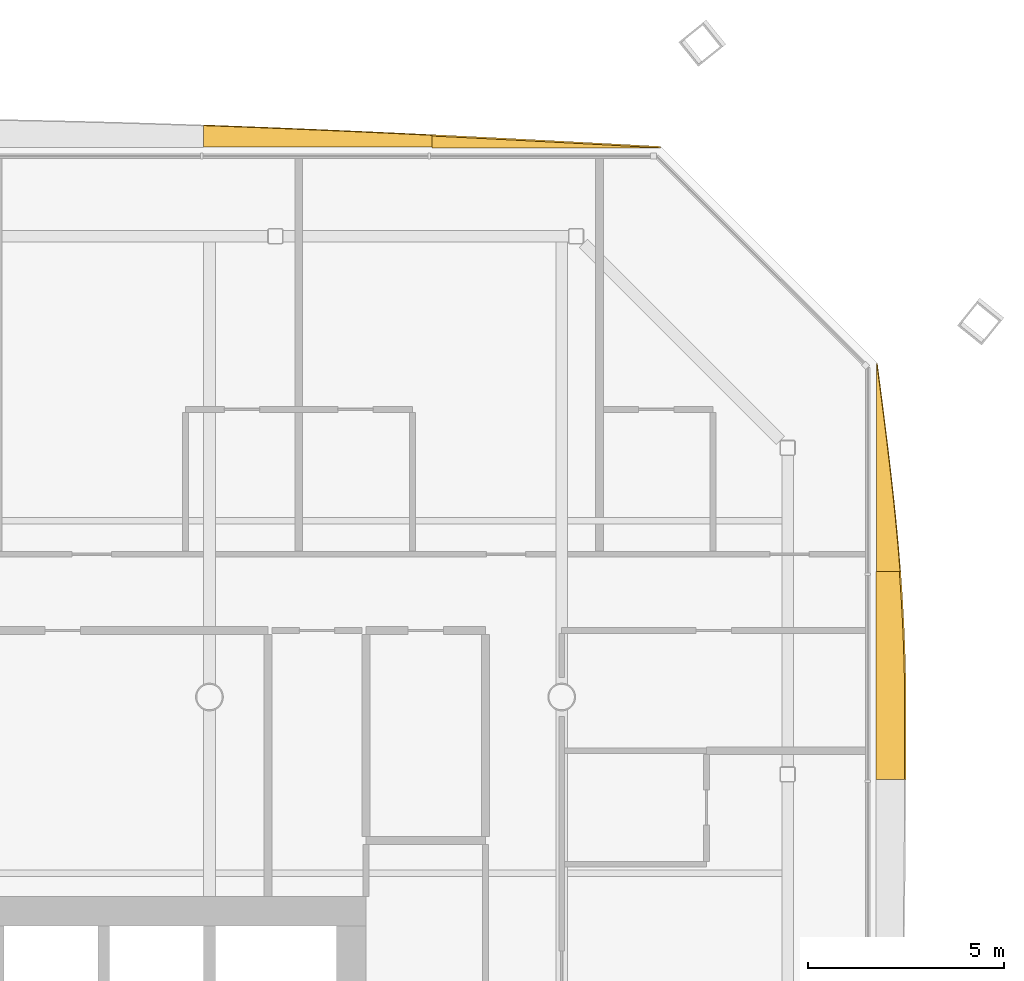
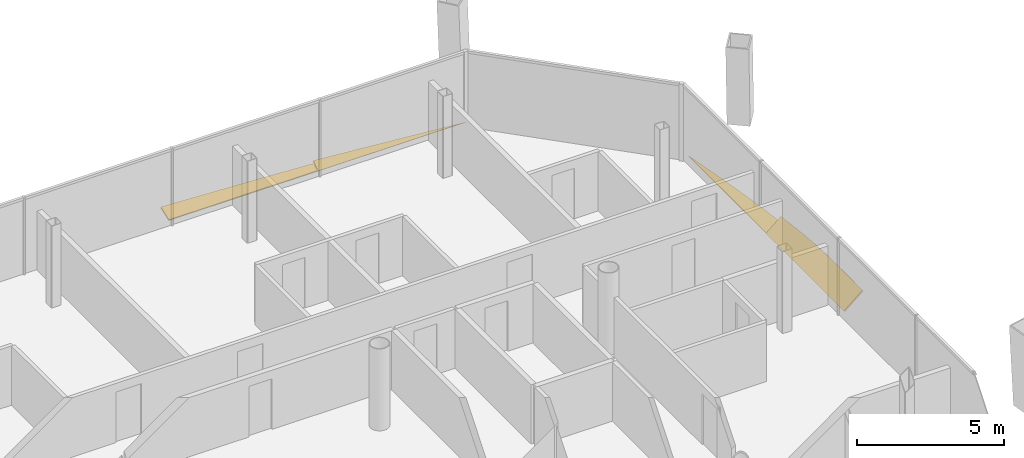
# One storey, part 21 of 21: 4 shading devices.
"""IFC4 building model written with IfcOpenShell, lengths in metres."""

from ifc_helpers import new_model, si_unit, direction, frame, origin, place, context, subcontext, project, spatial, polyline, outline, extrude, material, layer, layer_set, type_object, element, save


model = new_model("IFC4")

# Units and contexts
model_context = context("Model", 3, precision=1e-05, world=origin(), true_north=direction((0.0, 1.0)))
body_context = subcontext(model_context, "Body", "Model", "MODEL_VIEW")
ifc_project = project(units=[si_unit("LENGTHUNIT", "METRE"), si_unit("AREAUNIT", "SQUARE_METRE"), si_unit("VOLUMEUNIT", "CUBIC_METRE"), si_unit("PLANEANGLEUNIT", "RADIAN"), si_unit("MASSUNIT", "GRAM", prefix="KILO")], contexts=[model_context])

# Site, building, storey
site_placement = place(None, origin())
site = spatial("IfcSite", under=ifc_project, at=site_placement, CompositionType="ELEMENT")
building_placement = place(site_placement, origin())
building = spatial("IfcBuilding", under=site, at=building_placement, Name="Tskaro Facet Tower", CompositionType="ELEMENT")
storey_placement = place(building_placement, frame((0.0, 0.0, 135.10009765625)))
storey = spatial("IfcBuildingStorey", under=building, at=storey_placement, Name="L32", CompositionType="ELEMENT", Elevation=135.10009765625)

# Shading devices
ifc_material = material(Name="Bronze anodised aluminium 6063-T6", Category="aluminium")
ifc_layer = layer(ifc_material, 0.06005859375, Name="Bronze anodised aluminium 6063-T6")
ifc_layer_set = layer_set([ifc_layer], Name="Bronze anodised aluminium 6063-T6")
shading_device_type = type_object("IfcShadingDeviceType", Name="Bronze sun blade (FN1)", PredefinedType="USERDEFINED", material=ifc_layer_set)
shading_device_1_placement = place(storey_placement, frame((26.031494140625, 6.896240234375, 0.0458984375), z_axis=(-0.64280435495, -4.29862e-07, 0.766030391862), x_axis=(-2.76317e-07, 1.0, 3.29287e-07)))
element("IfcShadingDevice", 1, at=shading_device_1_placement, inside=storey, type_object=shading_device_type, Name="Fin blade east 6", ObjectType="FIN", PredefinedType="USERDEFINED", context=body_context, shape_type="SweptSolid", body=[
    extrude(outline(polyline([(0.0, 0.0), (5.314941406249509, 0.0), (5.314941406225527, -0.7760091067745393), (4.650634765632997, -0.8363083344354523), (3.9860839843389386, -0.8846659449436991), (3.3217773437957328, -0.9205208808833651), (2.6574707031372014, -0.9434023382835395), (1.9931640625111982, -0.953280232662554), (1.8496093749437512, -0.9534672518011924), (1.3288574218733273, -0.9529362788669455), (0.6643066406391204, -0.9513734445458729), (-2.1815490058788763e-11, -0.9484347950423659), (0.0, 0.0)])), origin(), (0.0, 0.0, -1.0), 0.06005859375),
])
shading_device_2_placement = place(storey_placement, frame((26.049560546875, 12.211181640625, 0.056396484375), z_axis=(-0.34192932355, 6.23036e-07, 0.939725671511), x_axis=(2.13034e-07, 1.0, -5.85483e-07)))
element("IfcShadingDevice", 2, at=shading_device_2_placement, inside=storey, type_object=shading_device_type, Name="Fin blade east 7", ObjectType="FIN", PredefinedType="USERDEFINED", context=body_context, shape_type="SweptSolid", body=[
    extrude(outline(polyline([(0.0, 0.0), (5.314697265623969, 0.0), (4.65039062497147, -0.09198529552070647), (3.98608398439681, -0.1828859325128135), (3.3217773437308677, -0.27124188086093626), (2.6574707031424114, -0.3556555779849468), (1.9929199219413405, -0.43512584419500294), (1.3286132812605431, -0.5084220745884912), (0.6643066405528583, -0.574459610636812), (1.4570216807524995e-13, -0.6326126442369084), (0.0, 0.0)])), origin(), (0.0, 0.0, -1.0), 0.06005859375),
])
shading_device_3_placement = place(storey_placement, frame((20.52587890625, 23.031494140625, 0.0458984375), z_axis=(-1.1803194e-05, -0.642932759504, 0.765922624433), x_axis=(-0.99999999993, 7.58866e-06, -9.040333e-06)))
element("IfcShadingDevice", 3, at=shading_device_3_placement, inside=storey, type_object=shading_device_type, Name="Fin blade north 1", ObjectType="FIN", PredefinedType="USERDEFINED", context=body_context, shape_type="SweptSolid", body=[
    extrude(outline(polyline([(0.0, 0.0), (5.841796874593074, 4.9481944242922116e-21), (5.841796875400335, -0.39424084250497715), (5.111572265204122, -0.34744607804601946), (4.381347656071147, -0.2996194370850833), (3.6511230476469954, -0.2511048784561617), (2.920898438078969, -0.2017154093310109), (2.190673827012655, -0.15179498854362372), (1.4604492185078657, -0.10137364291649462), (0.7302246081503766, -0.05076530446112188), (0.0, 0.0)])), origin(), (0.0, 0.0, -1.0), 0.06005859375),
])
shading_device_4_placement = place(storey_placement, frame((14.68408203125, 23.049560546875, 0.056396484375), z_axis=(1.1406178e-05, -0.341833575026, 0.939760505052), x_axis=(-0.999999999935, -3.899015e-06, 1.0719076e-05)))
element("IfcShadingDevice", 4, at=shading_device_4_placement, inside=storey, type_object=shading_device_type, Name="Fin blade north 2", ObjectType="FIN", PredefinedType="USERDEFINED", context=body_context, shape_type="SweptSolid", body=[
    extrude(outline(polyline([(0.0, 0.0), (5.842041015244972, 0.0), (5.842041016505248, -0.5853476439351915), (5.111816405305326, -0.557230583985459), (4.3815917971998894, -0.5276534662706568), (3.6513671869550146, -0.4964493798654687), (2.921142577187663, -0.4637017802325528), (2.1909179686109814, -0.42995299026870454), (1.4606933595599152, -0.39489012079419705), (0.7302246094094804, -0.3585131718090303), (1.2279175926147757e-10, -0.3213644662099997), (0.0, 0.0)])), origin(), (0.0, 0.0, -1.0), 0.06005859375),
])

save(model, "model.ifc")
